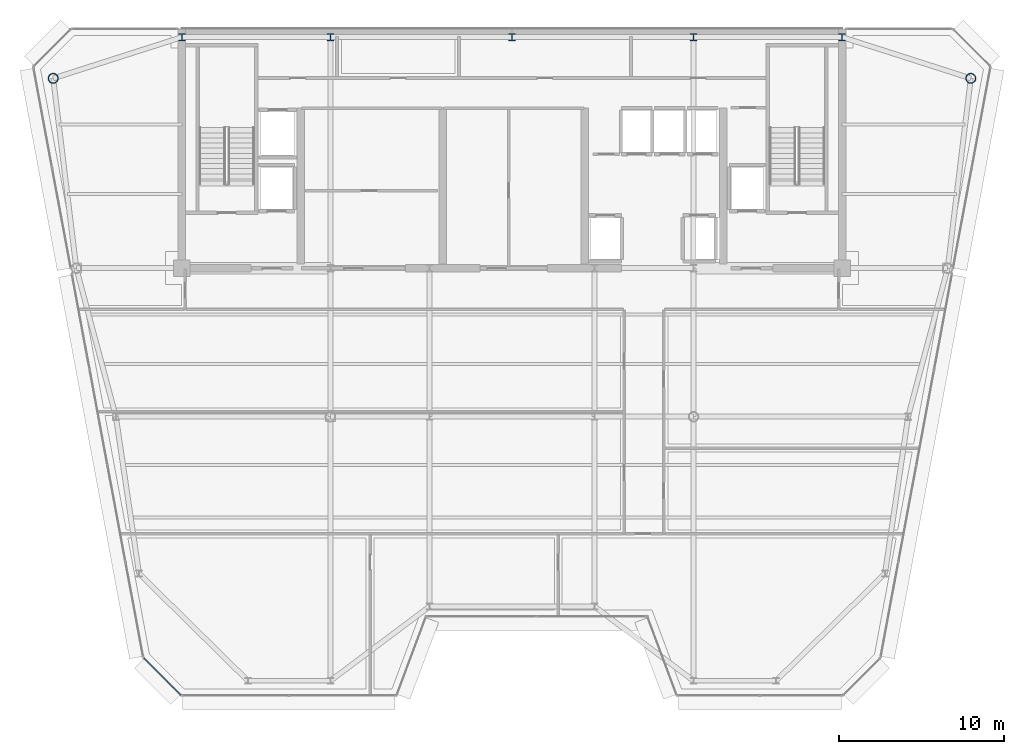
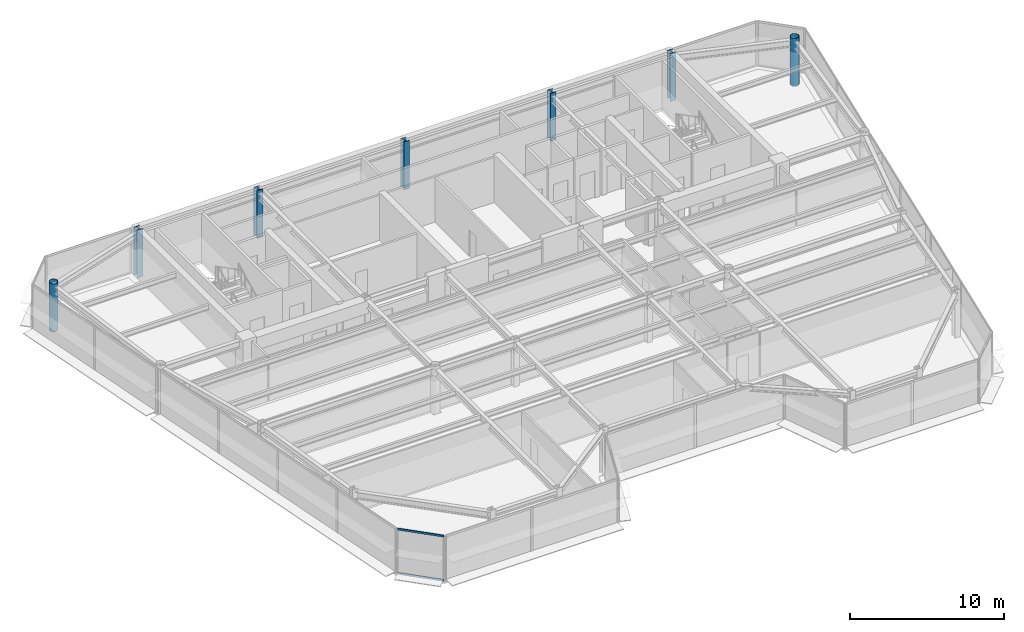
# One storey, part 2 of 18: 7 columns, 2 members, 1 element without a shape of its own.
"""IFC4 building model written with IfcOpenShell, lengths in metres."""

from ifc_helpers import new_model, si_unit, direction, frame, origin, origin_2d, place, context, subcontext, project, spatial, rectangle, hollow_circle, i_section, extrude, source, transform, mapped, material, layer, layer_set, material_profile, profile_set, type_object, element, aggregate, save


model = new_model("IFC4")

# Units and contexts
model_context = context("Model", 3, precision=1e-05, world=origin(), true_north=direction((0.0, 1.0)))
body_context = subcontext(model_context, "Body", "Model", "MODEL_VIEW")
ifc_project = project(units=[si_unit("LENGTHUNIT", "METRE"), si_unit("AREAUNIT", "SQUARE_METRE"), si_unit("VOLUMEUNIT", "CUBIC_METRE"), si_unit("PLANEANGLEUNIT", "RADIAN"), si_unit("MASSUNIT", "GRAM", prefix="KILO")], contexts=[model_context])

# Site, building, storey
site_placement = place(None, origin())
site = spatial("IfcSite", under=ifc_project, at=site_placement, CompositionType="ELEMENT")
building_placement = place(site_placement, origin())
building = spatial("IfcBuilding", under=site, at=building_placement, Name="Vaeldorn Concourse Tower", CompositionType="ELEMENT")
storey_placement = place(building_placement, frame((0.0, 0.0, 253.60009765625)))
storey = spatial("IfcBuildingStorey", under=building, at=storey_placement, Name="L65", CompositionType="ELEMENT", Elevation=253.60009765625)

# Columns
ifc_material_1 = material(Name="Steel S460", Category="steel")
ifc_material_profile_1 = material_profile(ifc_material_1, i_section(OverallWidth=0.41796875, OverallDepth=0.455078125, WebThickness=0.0419921875, FlangeThickness=0.05810546875, FilletRadius=0.014892578125, at=origin_2d()), Name="HD 400x551")
ifc_profile_set_1 = profile_set([ifc_material_profile_1], Name="Steel S460")
column_type_1 = type_object("IfcColumnType", Name="COL-HD551", PredefinedType="COLUMN", material=ifc_profile_set_1)
shared_shape_1 = source(origin(), body_context, "Body", "SweptSolid", [
    extrude(i_section(OverallWidth=0.41796875, OverallDepth=0.455078125, WebThickness=0.0419921875, FlangeThickness=0.05810546875, FilletRadius=0.014892578125, at=origin_2d()), origin(), (0.0, 0.0, 1.0), 3.7998046875),
])
for number, where, z_axis, x_axis, name in (
    (1, (14.0, 50.5, 0.0), (0.0, 0.0, 1.0), (1.0, 0.0, 0.0), "Column C-HC1 L65"),
    (2, (23.0, 50.5, 0.0), (0.0, 0.0, 1.0), (1.0, 0.0, 0.0), "Column C-HC2 L65"),
    (3, (34.0, 50.5, 0.0), (0.0, 0.0, 1.0), (1.0, 0.0, 0.0), "Column C-HC3 L65"),
    (4, (45.0, 50.5, 0.0), (0.0, 0.0, 1.0), (1.0, 0.0, 0.0), "Column C-HC4 L65"),
    (5, (54.0, 50.5, 0.0), (0.0, 0.0, 1.0), (1.0, 0.0, 0.0), "Column C-HC5 L65"),
):
    element("IfcColumn", number, at=place(storey_placement, frame(where, z_axis=z_axis, x_axis=x_axis)), inside=storey, type_object=column_type_1, Name=name, PredefinedType="COLUMN", context=body_context, shape_type="MappedRepresentation", body=[
        mapped(shared_shape_1, transform((0.0, 0.0, 0.0), scale=1.0)),
    ])
ifc_material_2 = material(Name="Steel S355", Category="steel")
ifc_material_profile_2 = material_profile(ifc_material_2, hollow_circle(Radius=0.304931640625, WallThickness=0.030029296875, at=origin_2d()), Name="CHS 610x30")
ifc_profile_set_2 = profile_set([ifc_material_profile_2], Name="Steel S355")
column_type_2 = type_object("IfcColumnType", Name="COL-CHS610", PredefinedType="COLUMN", material=ifc_profile_set_2)
shared_shape_2 = source(origin(), body_context, "Body", "SweptSolid", [
    extrude(hollow_circle(Radius=0.304931640625, WallThickness=0.030029296875, at=origin_2d()), origin(), (0.0, 0.0, 1.0), 3.7998046875),
])
for number, where, z_axis, x_axis, name in (
    (6, (6.199951171875, 48.0, 0.0), (0.0, 0.0, 1.0), (1.0, 0.0, 0.0), "Column C-NW1 L65"),
    (7, (61.800048828125, 48.0, 0.0), (0.0, 0.0, 1.0), (1.0, 0.0, 0.0), "Column C-NE1 L65"),
):
    element("IfcColumn", number, at=place(storey_placement, frame(where, z_axis=z_axis, x_axis=x_axis)), inside=storey, type_object=column_type_2, Name=name, PredefinedType="COLUMN", context=body_context, shape_type="MappedRepresentation", body=[
        mapped(shared_shape_2, transform((0.0, 0.0, 0.0), scale=1.0)),
    ])

# Curtain wall, members
ifc_material_3 = material(Name="Anodised Bronze Aluminium", Category="aluminium")
ifc_layer = layer(ifc_material_3, 0.179931640625)
ifc_layer_set = layer_set([ifc_layer], Name="Anodised Bronze Aluminium")
curtain_wall_type = type_object("IfcCurtainWallType", Name="CW-SYS-05", PredefinedType="NOTDEFINED", material=ifc_layer_set)
curtain_wall_placement = place(storey_placement, origin())
curtain_wall = element("IfcCurtainWall", 8, at=curtain_wall_placement, inside=storey, type_object=curtain_wall_type, Name="Unitised Curtain Wall CW-L65-E12-1", PredefinedType="NOTDEFINED")
ifc_material_profile_3 = material_profile(ifc_material_3, rectangle(XDim=0.06494140625, YDim=0.14990234375, at=origin_2d()), Name="CWT 65x150")
ifc_profile_set_3 = profile_set([ifc_material_profile_3], Name="Anodised Bronze Aluminium")
member_type = type_object("IfcMemberType", Name="CWT-BRONZE-150", PredefinedType="USERDEFINED", material=ifc_profile_set_3)
shared_shape_3 = source(origin(), body_context, "Body", "SweptSolid", [
    extrude(rectangle(XDim=0.06494140625, YDim=0.14990234375, at=origin_2d()), origin(), (0.0, 0.0, 1.0), 3.12255859375),
])
member_1_placement = place(storey_placement, frame((11.7119140625, 12.85400390625, 0.032470703125), z_axis=(0.707106781187, -0.707106781187, 0.0), x_axis=(0.707106781187, 0.707106781187, 0.0)))
member_1 = element("IfcMember", 9, at=member_1_placement, type_object=member_type, Name="CW-05 transom 1.1", ObjectType="TRANSOM", PredefinedType="USERDEFINED", context=body_context, shape_type="MappedRepresentation", body=[
    mapped(shared_shape_3, transform((0.0, 0.0, 0.0), scale=1.0)),
])
member_2_placement = place(storey_placement, frame((11.7119140625, 12.85400390625, 3.54736328125), z_axis=(0.707106781187, -0.707106781187, 0.0), x_axis=(0.707106781187, 0.707106781187, 0.0)))
member_2 = element("IfcMember", 10, at=member_2_placement, type_object=member_type, Name="CW-05 transom 1.2", ObjectType="TRANSOM", PredefinedType="USERDEFINED", context=body_context, shape_type="MappedRepresentation", body=[
    mapped(shared_shape_3, transform((0.0, 0.0, 0.0), scale=1.0)),
])
aggregate(curtain_wall, [member_1, member_2])

save(model, "model.ifc")
